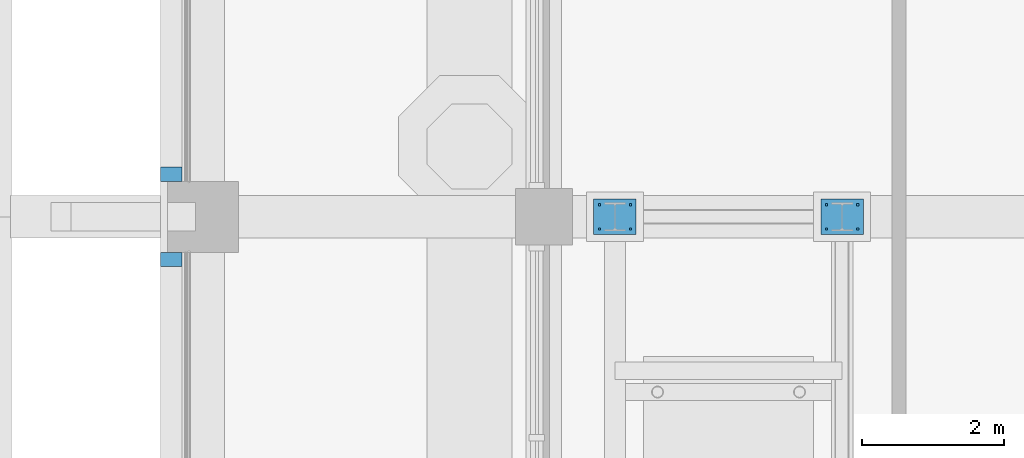
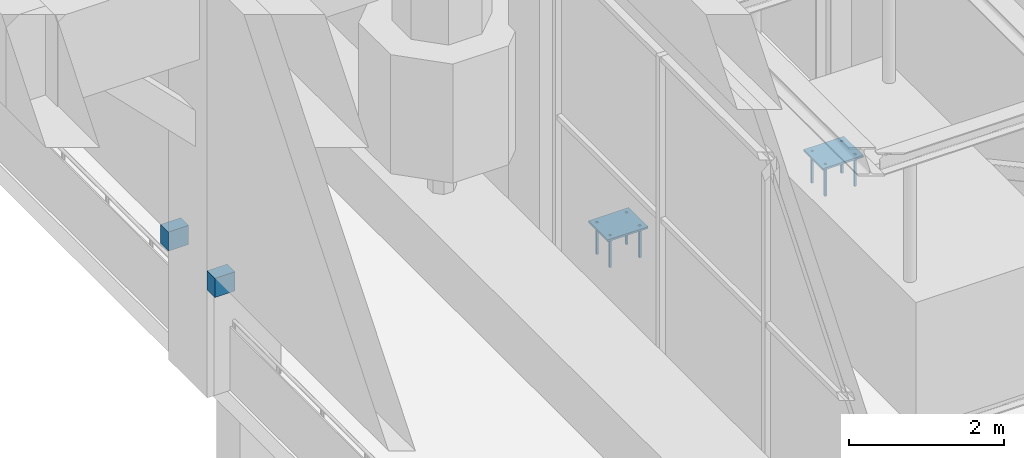
# One storey, part 23 of 29: 12 discrete accessories.
"""IFC4 building model written with IfcOpenShell, lengths in metres."""

from ifc_helpers import new_model, si_unit, direction, frame, origin, origin_2d, place, context, subcontext, project, spatial, rectangle, extrude, material, layer, layer_set, type_object, element, save


model = new_model("IFC4")

# Units and contexts
model_context = context("Model", 3, precision=1e-05, world=origin(), true_north=direction((0.0, 1.0)))
body_context = subcontext(model_context, "Body", "Model", "MODEL_VIEW")
ifc_project = project(units=[si_unit("LENGTHUNIT", "METRE"), si_unit("AREAUNIT", "SQUARE_METRE"), si_unit("VOLUMEUNIT", "CUBIC_METRE"), si_unit("PLANEANGLEUNIT", "RADIAN"), si_unit("MASSUNIT", "GRAM", prefix="KILO")], contexts=[model_context])

# Site, building, storey
site_placement = place(None, origin())
site = spatial("IfcSite", under=ifc_project, at=site_placement, CompositionType="ELEMENT")
building_placement = place(site_placement, origin())
building = spatial("IfcBuilding", under=site, at=building_placement, Name="Msitu Wima Residences", CompositionType="ELEMENT")
storey_placement = place(building_placement, frame((0.0, 0.0, 320.10009765625)))
storey = spatial("IfcBuildingStorey", under=building, at=storey_placement, Name="L74", CompositionType="ELEMENT", Elevation=320.10009765625)

# Discrete accessories
ifc_material_1 = material(Name="Steel S355", Category="steel")
discrete_accessory_type_1 = type_object("IfcDiscreteAccessoryType", Name="Damper anchor bolt AB1", PredefinedType="USERDEFINED", material=ifc_material_1)
for number, where, z_axis, x_axis, name in (
    (1, (-17.6201171875, 4.298583984375, -0.30517578125), (0.0, 0.0, 1.0), (1.0, 0.0, 0.0), "Anchor bolt W2.1"),
    (2, (-17.179931640625, 4.298583984375, -0.30517578125), (0.0, 0.0, 1.0), (1.0, 0.0, 0.0), "Anchor bolt W2.2"),
    (3, (-17.179931640625, 4.638671875, -0.30517578125), (0.0, 0.0, 1.0), (1.0, 0.0, 0.0), "Anchor bolt W2.3"),
    (4, (-17.6201171875, 4.638671875, -0.30517578125), (0.0, 0.0, 1.0), (1.0, 0.0, 0.0), "Anchor bolt W2.4"),
    (5, (-20.820068359375, 4.298583984375, -0.30517578125), (0.0, 0.0, 1.0), (1.0, 0.0, 0.0), "Anchor bolt W4.1"),
    (6, (-20.3798828125, 4.298583984375, -0.30517578125), (0.0, 0.0, 1.0), (1.0, 0.0, 0.0), "Anchor bolt W4.2"),
    (7, (-20.3798828125, 4.638671875, -0.30517578125), (0.0, 0.0, 1.0), (1.0, 0.0, 0.0), "Anchor bolt W4.3"),
    (8, (-20.820068359375, 4.638671875, -0.30517578125), (0.0, 0.0, 1.0), (1.0, 0.0, 0.0), "Anchor bolt W4.4"),
):
    element("IfcDiscreteAccessory", number, at=place(storey_placement, frame(where, z_axis=z_axis, x_axis=x_axis)), inside=storey, type_object=discrete_accessory_type_1, Name=name, ObjectType="ANCHOR BOLT", PredefinedType="USERDEFINED", context=body_context, shape_type="SweptSolid", body=[
        extrude(rectangle(XDim=0.030029296875, YDim=0.030029296875, at=origin_2d()), origin(), (0.0, 0.0, 1.0), 0.5),
    ])
ifc_layer = layer(ifc_material_1, 0.030029296875)
ifc_layer_set = layer_set([ifc_layer], Name="Steel S355")
discrete_accessory_type_2 = type_object("IfcDiscreteAccessoryType", Name="Damper base plate BP1", PredefinedType="USERDEFINED", material=ifc_layer_set)
for number, where, z_axis, x_axis, name in (
    (9, (-17.39990234375, 4.46875, 0.1650390625), (0.0, 0.0, 1.0), (1.0, 0.0, 0.0), "Base plate W2"),
    (10, (-20.60009765625, 4.46875, 0.1650390625), (0.0, 0.0, 1.0), (1.0, 0.0, 0.0), "Base plate W4"),
):
    element("IfcDiscreteAccessory", number, at=place(storey_placement, frame(where, z_axis=z_axis, x_axis=x_axis)), inside=storey, type_object=discrete_accessory_type_2, Name=name, ObjectType="BASE PLATE", PredefinedType="USERDEFINED", context=body_context, shape_type="SweptSolid", body=[
        extrude(rectangle(XDim=0.60009765625, YDim=0.5, at=origin_2d()), origin(), (0.0, 0.0, 1.0), 0.030029296875),
    ])
ifc_material_2 = material(Name="Steel S355, galvanised", Category="steel")
discrete_accessory_type_3 = type_object("IfcDiscreteAccessoryType", Name="Screen support bracket SB200", PredefinedType="BRACKET", material=ifc_material_2)
for number, where, z_axis, x_axis, name in (
    (11, (-26.85009765625, 5.068603515625, 1.69970703125), (0.0, 0.0, 1.0), (0.0, -1.0, 0.0), "Screen support bracket W0B"),
    (12, (-26.85009765625, 3.86865234375, 1.69970703125), (0.0, 0.0, 1.0), (0.0, -1.0, 0.0), "Screen support bracket W1A"),
):
    element("IfcDiscreteAccessory", number, at=place(storey_placement, frame(where, z_axis=z_axis, x_axis=x_axis)), inside=storey, type_object=discrete_accessory_type_3, Name=name, PredefinedType="BRACKET", context=body_context, shape_type="SweptSolid", body=[
        extrude(rectangle(XDim=0.199951171875, YDim=0.300048828125, at=origin_2d()), origin(), (0.0, 0.0, 1.0), 0.300048828125),
    ])

save(model, "model.ifc")
